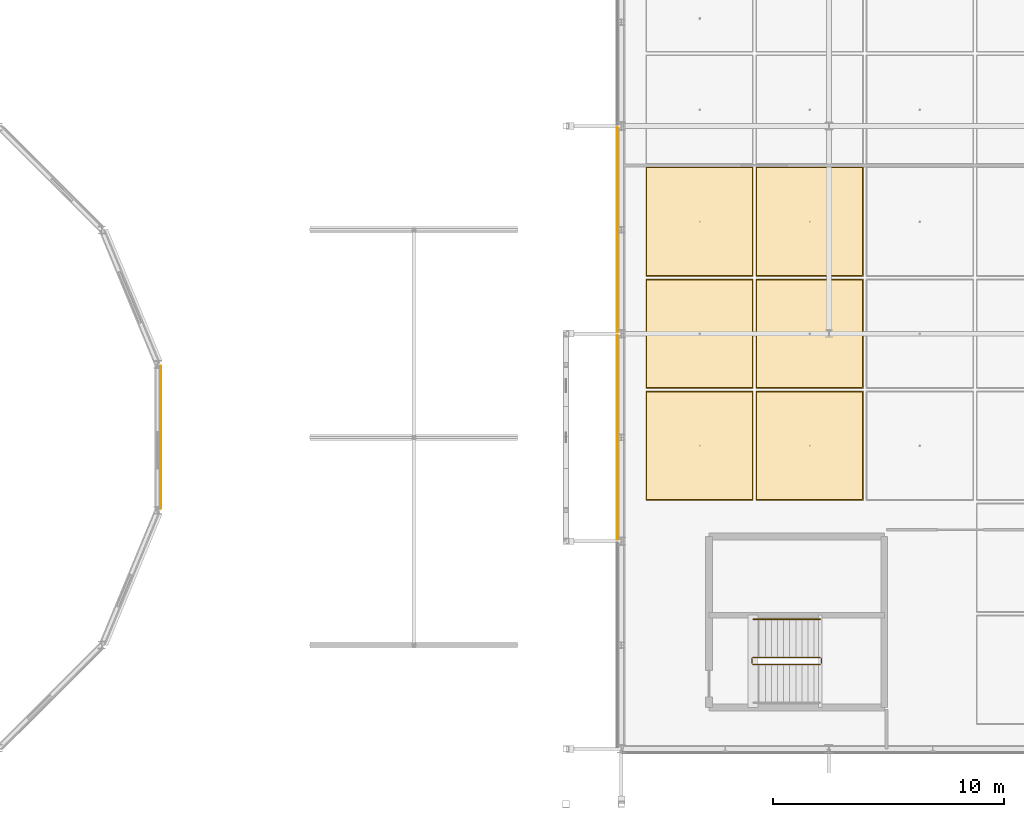
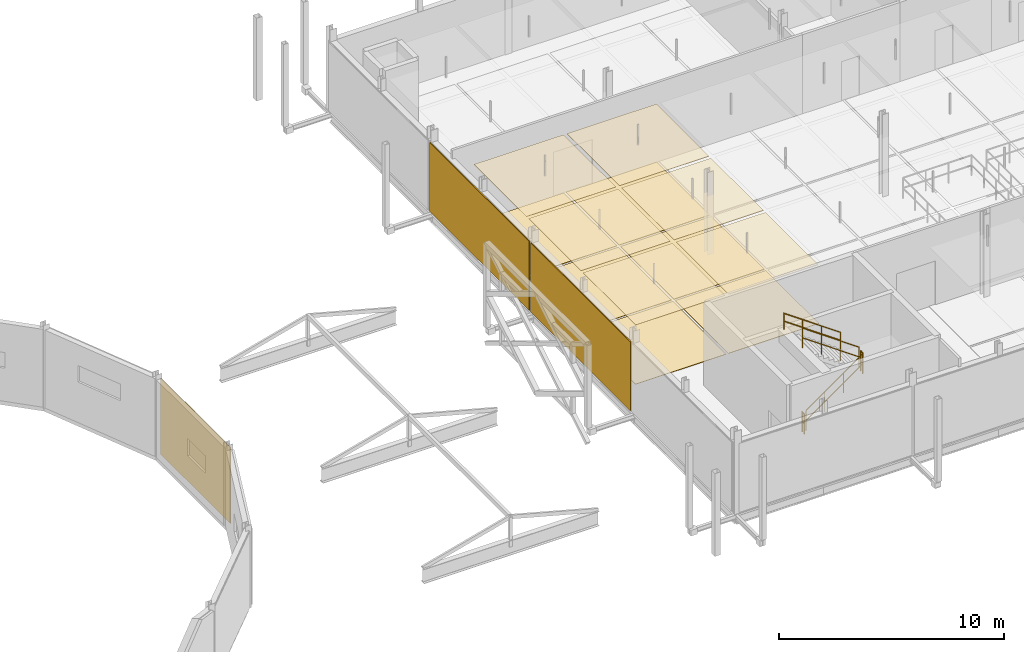
# One storey, part 80 of 89: 15 coverings, 5 railings.
"""IFC4 building model written with IfcOpenShell, lengths in metres."""

from ifc_helpers import new_model, si_unit, direction, frame, origin, origin_2d, place, context, subcontext, project, spatial, rectangle, circle, extrude, material, layer, layer_set, type_object, element, save


model = new_model("IFC4")

# Units and contexts
model_context = context("Model", 3, precision=1e-05, world=origin(), true_north=direction((0.0, 1.0)))
body_context = subcontext(model_context, "Body", "Model", "MODEL_VIEW")
ifc_project = project(units=[si_unit("LENGTHUNIT", "METRE"), si_unit("AREAUNIT", "SQUARE_METRE"), si_unit("VOLUMEUNIT", "CUBIC_METRE"), si_unit("PLANEANGLEUNIT", "RADIAN"), si_unit("MASSUNIT", "GRAM", prefix="KILO"), si_unit("THERMODYNAMICTEMPERATUREUNIT", "KELVIN"), si_unit("POWERUNIT", "WATT")], contexts=[model_context])

# Site, building, storey
site_placement = place(None, origin())
site = spatial("IfcSite", under=ifc_project, at=site_placement, CompositionType="ELEMENT")
building_placement = place(site_placement, origin())
building = spatial("IfcBuilding", under=site, at=building_placement, Name="Tallowbark Science Centre", CompositionType="ELEMENT")
storey_placement = place(building_placement, frame((0.0, 0.0, 14.39990234375)))
storey = spatial("IfcBuildingStorey", under=building, at=storey_placement, Name="L03", CompositionType="ELEMENT", Elevation=14.39990234375)

# Coverings
ifc_material_1 = material(Name="Perforated Spotted Gum Acoustic Baffle Ceiling", Category="wood")
ifc_layer_1 = layer(ifc_material_1, 0.02490234375)
ifc_layer_set_1 = layer_set([ifc_layer_1], Name="Perforated Spotted Gum Acoustic Baffle Ceiling")
covering_type_1 = type_object("IfcCoveringType", Name="CLG-TIM-25", PredefinedType="CEILING", material=ifc_layer_set_1)
for number, where, z_axis, x_axis, name in (
    (1, (61.888916015625, 17.642822265625, 3.187744140625), (0.0, 0.0, 1.0), (1.0, 0.0, 0.0), "Suspended Ceiling L03-946"),
    (2, (61.888916015625, 22.5, 3.187744140625), (0.0, 0.0, 1.0), (1.0, 0.0, 0.0), "Suspended Ceiling L03-947"),
    (3, (61.888916015625, 27.357177734375, 3.187744140625), (0.0, 0.0, 1.0), (1.0, 0.0, 0.0), "Suspended Ceiling L03-948"),
    (4, (66.666748046875, 17.642822265625, 3.187744140625), (0.0, 0.0, 1.0), (1.0, 0.0, 0.0), "Suspended Ceiling L03-951"),
    (5, (66.666748046875, 22.5, 3.187744140625), (0.0, 0.0, 1.0), (1.0, 0.0, 0.0), "Suspended Ceiling L03-952"),
    (6, (66.666748046875, 27.357177734375, 3.187744140625), (0.0, 0.0, 1.0), (1.0, 0.0, 0.0), "Suspended Ceiling L03-953"),
):
    element("IfcCovering", number, at=place(storey_placement, frame(where, z_axis=z_axis, x_axis=x_axis)), inside=storey, type_object=covering_type_1, Name=name, PredefinedType="CEILING", context=body_context, shape_type="SweptSolid", body=[
        extrude(rectangle(XDim=4.597900390625, YDim=4.677001953125, at=origin_2d()), origin(), (0.0, 0.0, 1.0), 0.02490234375),
    ])
ifc_material_2 = material(Name="Vitrified Ochre Terracotta Architectural Rainscreen", Category="masonry")
ifc_layer_2 = layer(ifc_material_2, 0.0380859375)
ifc_layer_set_2 = layer_set([ifc_layer_2], Name="Vitrified Ochre Terracotta Architectural Rainscreen")
covering_type_2 = type_object("IfcCoveringType", Name="COV-TER-CLAD", PredefinedType="CLADDING", material=ifc_layer_set_2)
covering_placement = place(storey_placement, frame((38.540283203125, 18.0, 0.050048828125), z_axis=(0.0, 0.0, 1.0), x_axis=(0.0, 1.0, 0.0)))
element("IfcCovering", 7, at=covering_placement, inside=storey, type_object=covering_type_2, Name="Architectural Rainscreen DRM-UP-L03-15", PredefinedType="CLADDING", context=body_context, shape_type="SweptSolid", body=[
    extrude(rectangle(XDim=6.200927734375, YDim=0.0380859375, at=origin_2d()), origin(), (0.0, 0.0, 1.0), 4.1298828125),
])
ifc_material_3 = material(Name="Spotted Gum Hardwood Architectural Rainscreen", Category="wood")
ifc_layer_3 = layer(ifc_material_3, 0.0419921875)
ifc_layer_set_3 = layer_set([ifc_layer_3], Name="Spotted Gum Hardwood Architectural Rainscreen")
covering_type_3 = type_object("IfcCoveringType", Name="COV-TIM-CLAD", PredefinedType="CLADDING", material=ifc_layer_set_3)
for number, where, z_axis, x_axis, name in (
    (8, (58.33154296875, 18.0, 0.050048828125), (0.0, 0.0, 1.0), (0.0, -1.0, 0.0), "Architectural Rainscreen CUB-W-L03-1"),
    (9, (58.33154296875, 27.0, 0.050048828125), (0.0, 0.0, 1.0), (0.0, -1.0, 0.0), "Architectural Rainscreen CUB-W-L03-2"),
):
    element("IfcCovering", number, at=place(storey_placement, frame(where, z_axis=z_axis, x_axis=x_axis)), inside=storey, type_object=covering_type_3, Name=name, PredefinedType="CLADDING", context=body_context, shape_type="SweptSolid", body=[
        extrude(rectangle(XDim=8.8798828125, YDim=0.0419921875, at=origin_2d()), origin(), (0.0, 0.0, 1.0), 3.74609375),
    ])
ifc_material_4 = material(Name="Engineered Blackbutt Gallery Timber Flooring", Category="wood")
ifc_layer_4 = layer(ifc_material_4, 0.02197265625)
ifc_layer_set_4 = layer_set([ifc_layer_4], Name="Engineered Blackbutt Gallery Timber Flooring")
covering_type_4 = type_object("IfcCoveringType", Name="FLR-TIM-22", PredefinedType="FLOORING", material=ifc_layer_set_4)
for number, where, z_axis, x_axis, name in (
    (10, (61.888916015625, 17.642822265625, 0.0), (0.0, 0.0, 1.0), (1.0, 0.0, 0.0), "Floor Finish L03-946"),
    (11, (61.888916015625, 22.5, 0.0), (0.0, 0.0, 1.0), (1.0, 0.0, 0.0), "Floor Finish L03-947"),
    (12, (61.888916015625, 27.357177734375, 0.0), (0.0, 0.0, 1.0), (1.0, 0.0, 0.0), "Floor Finish L03-948"),
    (13, (66.666748046875, 17.642822265625, 0.0), (0.0, 0.0, 1.0), (1.0, 0.0, 0.0), "Floor Finish L03-951"),
    (14, (66.666748046875, 22.5, 0.0), (0.0, 0.0, 1.0), (1.0, 0.0, 0.0), "Floor Finish L03-952"),
    (15, (66.666748046875, 27.357177734375, 0.0), (0.0, 0.0, 1.0), (1.0, 0.0, 0.0), "Floor Finish L03-953"),
):
    element("IfcCovering", number, at=place(storey_placement, frame(where, z_axis=z_axis, x_axis=x_axis)), inside=storey, type_object=covering_type_4, Name=name, PredefinedType="FLOORING", context=body_context, shape_type="SweptSolid", body=[
        extrude(rectangle(XDim=4.65771484375, YDim=4.737060546875, at=origin_2d()), origin(), (0.0, 0.0, 1.0), 0.02197265625),
    ])

# Railings
ifc_material_5 = material(Name="Galvanised Painted Steel and Laminated Glass Balustrade", Category="steel")
ifc_layer_5 = layer(ifc_material_5, 0.070068359375)
ifc_layer_set_5 = layer_set([ifc_layer_5], Name="Galvanised Painted Steel and Laminated Glass Balustrade")
railing_type_1 = type_object("IfcRailingType", Name="RLG-BAL-1150", PredefinedType="BALUSTRADE", material=ifc_layer_set_5)
railing_1_placement = place(storey_placement, frame((64.2099609375, 8.159912109375, 0.1875)))
element("IfcRailing", 16, at=railing_1_placement, inside=storey, type_object=railing_type_1, Name="L03 ST-07 stair guard 1", PredefinedType="BALUSTRADE", context=body_context, shape_type="SweptSolid", body=[
    extrude(circle(Radius=0.02392578125, at=origin_2d()), frame((0.0, 0.0, 1.076171875), z_axis=(0.816330724661, 0.0, 0.577584753931), x_axis=(0.0, 1.0, 0.0)), (0.0, 0.0, 1.0), 3.57080078125),
    extrude(circle(Radius=0.02392578125, at=origin_2d()), frame((0.0, 0.0, 0.550048828125), z_axis=(0.816330724661, 0.0, 0.577584753931), x_axis=(0.0, 1.0, 0.0)), (0.0, 0.0, 1.0), 3.57080078125),
    extrude(circle(Radius=0.02099609375, at=origin_2d()), origin(), (0.0, 0.0, 1.0), 1.052001953125),
    extrude(circle(Radius=0.02099609375, at=origin_2d()), frame((0.9716796875, 0.0, 0.6875)), (0.0, 0.0, 1.0), 1.052001953125),
    extrude(circle(Radius=0.02099609375, at=origin_2d()), frame((1.943359375, 0.0, 1.375)), (0.0, 0.0, 1.0), 1.052001953125),
    extrude(circle(Radius=0.02099609375, at=origin_2d()), frame((2.9150390625, 0.0, 2.0625)), (0.0, 0.0, 1.0), 1.052001953125),
])
railing_2_placement = place(storey_placement, frame((67.175048828125, 8.2099609375, 2.25)))
element("IfcRailing", 17, at=railing_2_placement, inside=storey, type_object=railing_type_1, Name="L03 ST-07 stair guard 2", PredefinedType="BALUSTRADE", context=body_context, shape_type="SweptSolid", body=[
    extrude(circle(Radius=0.02392578125, at=origin_2d()), frame((0.0, 0.0, 1.076171875), z_axis=(0.0, 1.0, 0.0), x_axis=(-1.0, 0.0, 0.0)), (0.0, 0.0, 1.0), 0.199951171875),
    extrude(circle(Radius=0.02392578125, at=origin_2d()), frame((0.0, 0.0, 0.550048828125), z_axis=(0.0, 1.0, 0.0), x_axis=(-1.0, 0.0, 0.0)), (0.0, 0.0, 1.0), 0.199951171875),
    extrude(circle(Radius=0.02099609375, at=origin_2d()), origin(), (0.0, 0.0, 1.0), 1.052001953125),
    extrude(circle(Radius=0.02099609375, at=origin_2d()), frame((0.0, 0.199951171875, 0.0)), (0.0, 0.0, 1.0), 1.052001953125),
])
railing_3_placement = place(storey_placement, frame((67.125, 8.4599609375, 2.4375)))
element("IfcRailing", 18, at=railing_3_placement, inside=storey, type_object=railing_type_1, Name="L03 ST-07 stair guard 3", PredefinedType="BALUSTRADE", context=body_context, shape_type="SweptSolid", body=[
    extrude(circle(Radius=0.02392578125, at=origin_2d()), frame((0.0, 0.0, 1.076171875), z_axis=(-0.816330724661, 0.0, 0.577584753931), x_axis=(0.0, -1.0, 0.0)), (0.0, 0.0, 1.0), 3.57080078125),
    extrude(circle(Radius=0.02392578125, at=origin_2d()), frame((0.0, 0.0, 0.550048828125), z_axis=(-0.816330724661, 0.0, 0.577584753931), x_axis=(0.0, -1.0, 0.0)), (0.0, 0.0, 1.0), 3.57080078125),
    extrude(circle(Radius=0.02099609375, at=origin_2d()), origin(), (0.0, 0.0, 1.0), 1.052001953125),
    extrude(circle(Radius=0.02099609375, at=origin_2d()), frame((-0.9716796875, 0.0, 0.6875)), (0.0, 0.0, 1.0), 1.052001953125),
    extrude(circle(Radius=0.02099609375, at=origin_2d()), frame((-1.943359375, 0.0, 1.375)), (0.0, 0.0, 1.0), 1.052001953125),
    extrude(circle(Radius=0.02099609375, at=origin_2d()), frame((-2.9150390625, 0.0, 2.0625)), (0.0, 0.0, 1.0), 1.052001953125),
])
railing_4_placement = place(storey_placement, frame((64.159912109375, 8.2099609375, 0.0)))
element("IfcRailing", 19, at=railing_4_placement, inside=storey, type_object=railing_type_1, Name="L03 ST-07 stair guard 4", PredefinedType="BALUSTRADE", context=body_context, shape_type="SweptSolid", body=[
    extrude(circle(Radius=0.02392578125, at=origin_2d()), frame((0.0, 0.0, 1.076171875), z_axis=(0.0, 1.0, 0.0), x_axis=(-1.0, 0.0, 0.0)), (0.0, 0.0, 1.0), 0.199951171875),
    extrude(circle(Radius=0.02392578125, at=origin_2d()), frame((0.0, 0.0, 0.550048828125), z_axis=(0.0, 1.0, 0.0), x_axis=(-1.0, 0.0, 0.0)), (0.0, 0.0, 1.0), 0.199951171875),
    extrude(circle(Radius=0.02099609375, at=origin_2d()), origin(), (0.0, 0.0, 1.0), 1.052001953125),
    extrude(circle(Radius=0.02099609375, at=origin_2d()), frame((0.0, 0.199951171875, 0.0)), (0.0, 0.0, 1.0), 1.052001953125),
])
ifc_material_6 = material(Name="Brushed Grade 316 Stainless Steel Handrail", Category="steel")
ifc_layer_6 = layer(ifc_material_6, 0.050048828125)
ifc_layer_set_6 = layer_set([ifc_layer_6], Name="Brushed Grade 316 Stainless Steel Handrail")
railing_type_2 = type_object("IfcRailingType", Name="RLG-HDR-950", PredefinedType="HANDRAIL", material=ifc_layer_set_6)
railing_5_placement = place(storey_placement, frame((67.125, 10.1201171875, 2.4375)))
element("IfcRailing", 20, at=railing_5_placement, inside=storey, type_object=railing_type_2, Name="L03 ST-07 stair handrail 2", PredefinedType="HANDRAIL", context=body_context, shape_type="SweptSolid", body=[
    extrude(circle(Radius=0.02392578125, at=origin_2d()), frame((0.0, 0.0, 0.8759765625), z_axis=(-0.816330724661, 0.0, 0.577584753931), x_axis=(0.0, -1.0, 0.0)), (0.0, 0.0, 1.0), 3.57080078125),
    extrude(circle(Radius=0.02392578125, at=origin_2d()), frame((0.0, 0.0, 0.449951171875), z_axis=(-0.816330724661, 0.0, 0.577584753931), x_axis=(0.0, -1.0, 0.0)), (0.0, 0.0, 1.0), 3.57080078125),
    extrude(circle(Radius=0.02099609375, at=origin_2d()), origin(), (0.0, 0.0, 1.0), 0.851806640625),
    extrude(circle(Radius=0.02099609375, at=origin_2d()), frame((-0.9716796875, 0.0, 0.6875)), (0.0, 0.0, 1.0), 0.851806640625),
    extrude(circle(Radius=0.02099609375, at=origin_2d()), frame((-1.943359375, 0.0, 1.375)), (0.0, 0.0, 1.0), 0.851806640625),
    extrude(circle(Radius=0.02099609375, at=origin_2d()), frame((-2.9150390625, 0.0, 2.0625)), (0.0, 0.0, 1.0), 0.851806640625),
])

save(model, "model.ifc")
